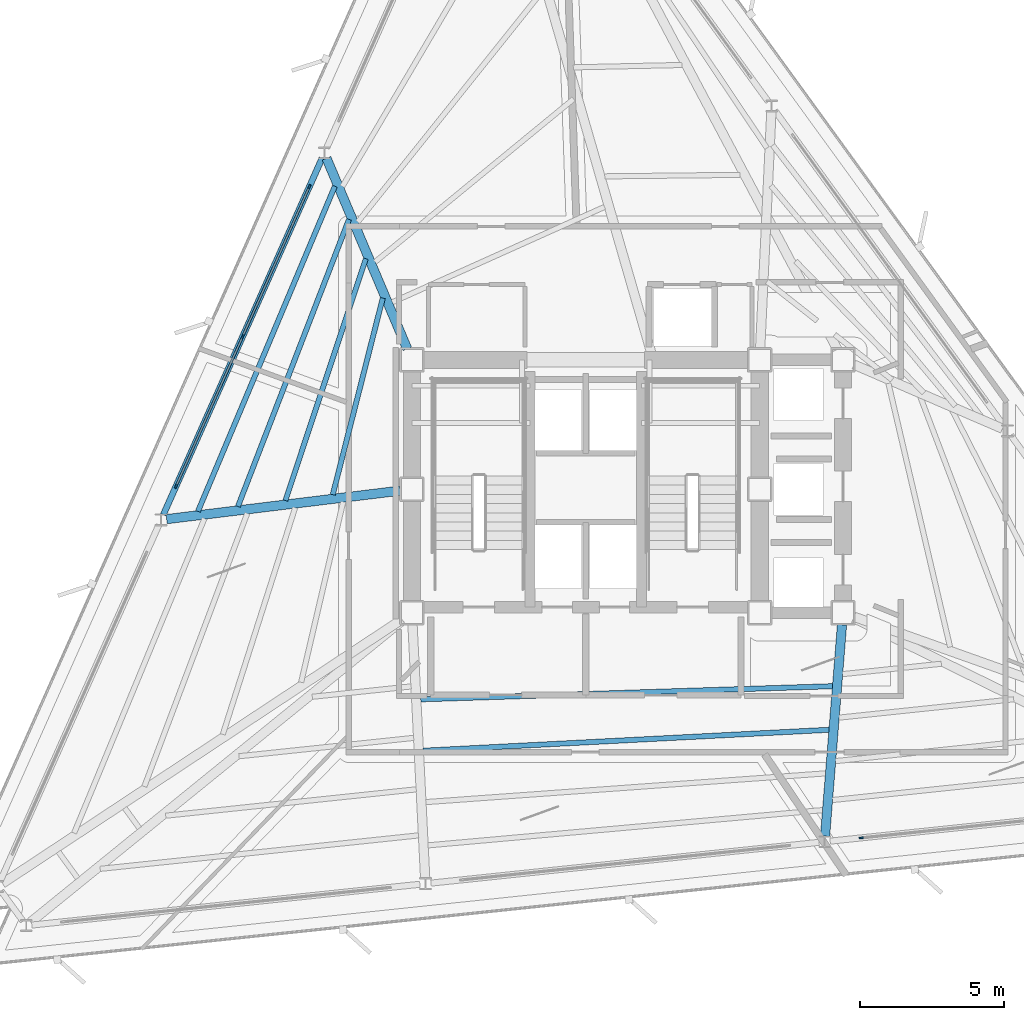
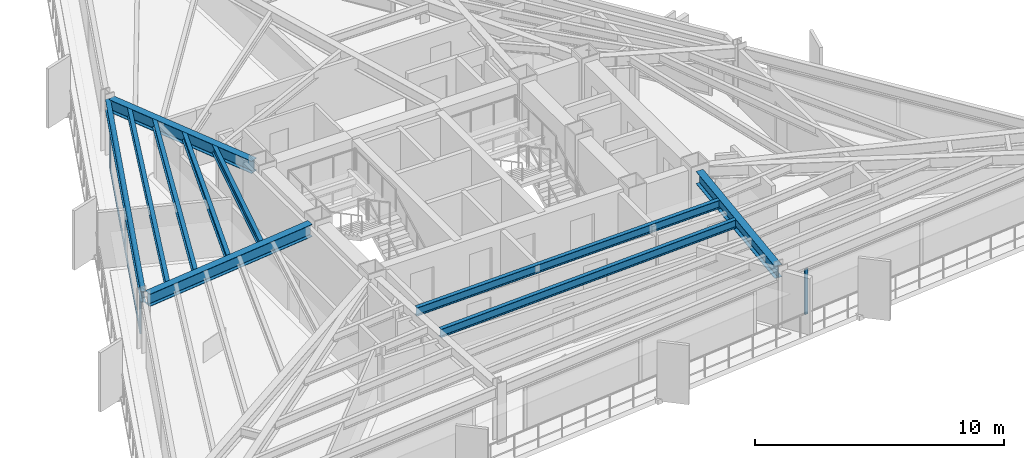
# One storey, part 3 of 13: 10 beams, 8 members, 2 elements without a shape of their own.
"""IFC4 building model written with IfcOpenShell, lengths in metres."""

from ifc_helpers import new_model, si_unit, direction, frame, origin, origin_2d, place, context, subcontext, project, spatial, rectangle, i_section, extrude, material, layer, layer_set, material_profile, profile_set, type_object, element, aggregate, save


model = new_model("IFC4")

# Units and contexts
model_context = context("Model", 3, precision=1e-05, world=origin(), true_north=direction((0.0, 1.0)))
body_context = subcontext(model_context, "Body", "Model", "MODEL_VIEW")
ifc_project = project(units=[si_unit("LENGTHUNIT", "METRE"), si_unit("AREAUNIT", "SQUARE_METRE"), si_unit("VOLUMEUNIT", "CUBIC_METRE"), si_unit("PLANEANGLEUNIT", "RADIAN"), si_unit("MASSUNIT", "GRAM", prefix="KILO")], contexts=[model_context])

# Site, building, storey
site_placement = place(None, origin())
site = spatial("IfcSite", under=ifc_project, at=site_placement, CompositionType="ELEMENT")
building_placement = place(site_placement, origin())
building = spatial("IfcBuilding", under=site, at=building_placement, Name="Rocaltana Carrier Exchange", CompositionType="ELEMENT")
storey_placement = place(building_placement, frame((0.0, 0.0, 119.840087890625)))
storey = spatial("IfcBuildingStorey", under=building, at=storey_placement, Name="L37", CompositionType="ELEMENT", Elevation=119.840087890625)

# Curtain wall, members
ifc_material_1 = material(Name="Aluminium 6063-T6", Category="aluminium")
ifc_layer = layer(ifc_material_1, 0.14990234375)
ifc_layer_set = layer_set([ifc_layer], Name="Aluminium 6063-T6")
curtain_wall_type = type_object("IfcCurtainWallType", Name="Mid-Tower Unitised Curtain Wall CW-03", PredefinedType="NOTDEFINED", material=ifc_layer_set)
curtain_wall_1_placement = place(storey_placement, origin())
curtain_wall_1 = element("IfcCurtainWall", 1, at=curtain_wall_1_placement, inside=storey, type_object=curtain_wall_type, Name="L37 CW-03 Run CW-L37-F2S2", PredefinedType="NOTDEFINED")
ifc_material_2 = material(Name="Aluminium 6063-T6", Category="aluminium")
ifc_material_profile_1 = material_profile(ifc_material_2, rectangle(XDim=0.06005859375, YDim=0.14990234375, at=origin_2d()), Name="AL-60X150")
ifc_profile_set_1 = profile_set([ifc_material_profile_1], Name="Aluminium 6063-T6")
member_type_1 = type_object("IfcMemberType", Name="CW-03 Mullion AL-60X150", PredefinedType="MULLION", material=ifc_profile_set_1)
member_1_placement = place(storey_placement, frame((-9.61865234375, 10.525634765625, 0.0), z_axis=(0.0, 0.0, 1.0), x_axis=(0.913542348315, -0.406743626669, 0.0)))
member_1 = element("IfcMember", 2, at=member_1_placement, type_object=member_type_1, Name="CW-03 mullion 1", PredefinedType="MULLION", context=body_context, shape_type="SweptSolid", body=[
    extrude(rectangle(XDim=0.06005859375, YDim=0.14990234375, at=origin_2d()), origin(), (0.0, 0.0, 1.0), 2.218017578125),
])
member_2_placement = place(storey_placement, frame((-11.9384765625, 5.3154296875, 0.0), z_axis=(0.0, 0.0, 1.0), x_axis=(0.913542348315, -0.406743626669, 0.0)))
member_2 = element("IfcMember", 3, at=member_2_placement, type_object=member_type_1, Name="CW-03 mullion 2", PredefinedType="MULLION", context=body_context, shape_type="SweptSolid", body=[
    extrude(rectangle(XDim=0.06005859375, YDim=0.14990234375, at=origin_2d()), origin(), (0.0, 0.0, 1.0), 2.218017578125),
])
member_3_placement = place(storey_placement, frame((-14.25830078125, 0.105224609375, 0.0), z_axis=(0.0, 0.0, 1.0), x_axis=(0.913542348315, -0.406743626669, 0.0)))
member_3 = element("IfcMember", 4, at=member_3_placement, type_object=member_type_1, Name="CW-03 mullion 3", PredefinedType="MULLION", context=body_context, shape_type="SweptSolid", body=[
    extrude(rectangle(XDim=0.06005859375, YDim=0.14990234375, at=origin_2d()), origin(), (0.0, 0.0, 1.0), 2.218017578125),
])

# Curtain wall, member
curtain_wall_2_placement = place(storey_placement, origin())
curtain_wall_2 = element("IfcCurtainWall", 5, at=curtain_wall_2_placement, inside=storey, type_object=curtain_wall_type, Name="L37 CW-03 Run CW-L37-F3S3", PredefinedType="NOTDEFINED")
member_4_placement = place(storey_placement, frame((9.584228515625, -12.1328125, 0.0), z_axis=(0.0, 0.0, 1.0), x_axis=(-0.104521806959, 0.994522594952, 0.0)))
member_4 = element("IfcMember", 6, at=member_4_placement, type_object=member_type_1, Name="CW-03 mullion 1", PredefinedType="MULLION", context=body_context, shape_type="SweptSolid", body=[
    extrude(rectangle(XDim=0.06005859375, YDim=0.14990234375, at=origin_2d()), origin(), (0.0, 0.0, 1.0), 2.218017578125),
])
aggregate(curtain_wall_2, [member_4])

# Member
ifc_material_3 = material(Name="Aluminium 6063-T6", Category="aluminium")
ifc_material_profile_2 = material_profile(ifc_material_3, rectangle(XDim=0.06005859375, YDim=0.14990234375, at=origin_2d()), Name="AL-60X150")
ifc_profile_set_2 = profile_set([ifc_material_profile_2], Name="Aluminium 6063-T6")
member_type_2 = type_object("IfcMemberType", Name="CW-03 Transom AL-60X150", PredefinedType="USERDEFINED", material=ifc_profile_set_2)
member_5_placement = place(storey_placement, frame((-9.630859375, 10.498291015625, 0.030029296875), z_axis=(-0.406740464784, -0.913543756099, 0.0), x_axis=(0.913543756099, -0.406740464784, 0.0)))
member_5 = element("IfcMember", 7, at=member_5_placement, type_object=member_type_2, Name="CW-03 transom 1.1", ObjectType="TRANSOM", PredefinedType="USERDEFINED", context=body_context, shape_type="SweptSolid", body=[
    extrude(rectangle(XDim=0.06005859375, YDim=0.14990234375, at=origin_2d()), origin(), (0.0, 0.0, 1.0), 5.643310546875),
])

member_6_placement = place(storey_placement, frame((-9.630859375, 10.498291015625, 2.18798828125), z_axis=(-0.406740464784, -0.913543756099, 0.0), x_axis=(0.913543756099, -0.406740464784, 0.0)))
member_6 = element("IfcMember", 8, at=member_6_placement, type_object=member_type_2, Name="CW-03 transom 1.2", ObjectType="TRANSOM", PredefinedType="USERDEFINED", context=body_context, shape_type="SweptSolid", body=[
    extrude(rectangle(XDim=0.06005859375, YDim=0.14990234375, at=origin_2d()), origin(), (0.0, 0.0, 1.0), 5.643310546875),
])

member_7_placement = place(storey_placement, frame((-11.95068359375, 5.287841796875, 0.030029296875), z_axis=(-0.406756540093, -0.91353659866, 0.0), x_axis=(0.91353659866, -0.406756540093, 0.0)))
member_7 = element("IfcMember", 9, at=member_7_placement, type_object=member_type_2, Name="CW-03 transom 2.1", ObjectType="TRANSOM", PredefinedType="USERDEFINED", context=body_context, shape_type="SweptSolid", body=[
    extrude(rectangle(XDim=0.06005859375, YDim=0.14990234375, at=origin_2d()), origin(), (0.0, 0.0, 1.0), 5.643310546875),
])

member_8_placement = place(storey_placement, frame((-11.95068359375, 5.287841796875, 2.18798828125), z_axis=(-0.406756540093, -0.91353659866, 0.0), x_axis=(0.91353659866, -0.406756540093, 0.0)))
member_8 = element("IfcMember", 10, at=member_8_placement, type_object=member_type_2, Name="CW-03 transom 2.2", ObjectType="TRANSOM", PredefinedType="USERDEFINED", context=body_context, shape_type="SweptSolid", body=[
    extrude(rectangle(XDim=0.06005859375, YDim=0.14990234375, at=origin_2d()), origin(), (0.0, 0.0, 1.0), 5.643310546875),
])

aggregate(curtain_wall_1, [member_1, member_2, member_3, member_5, member_6, member_7, member_8])

# Beams
ifc_material_4 = material(Name="Steel S355", Category="steel")
ifc_material_profile_3 = material_profile(ifc_material_4, i_section(OverallWidth=0.179931640625, OverallDepth=0.4130859375, WebThickness=0.009765625, FlangeThickness=0.01611328125, FilletRadius=0.012939453125, at=origin_2d()), Name="W16X50")
ifc_profile_set_3 = profile_set([ifc_material_profile_3], Name="Steel S355")
beam_type_1 = type_object("IfcBeamType", Name="Floor Joist W16X50", PredefinedType="JOIST", material=ifc_profile_set_3)
beam_1_placement = place(storey_placement, frame((-7.06396484375, 6.651123046875, 2.581298828125), z_axis=(-0.246610770256, -0.96911461035, 0.0), x_axis=(0.96911461035, -0.246610770256, 0.0)))
element("IfcBeam", 11, at=beam_1_placement, inside=storey, type_object=beam_type_1, Name="FJ-L37-06-1", PredefinedType="JOIST", context=body_context, shape_type="SweptSolid", body=[
    extrude(i_section(OverallWidth=0.179931640625, OverallDepth=0.4130859375, WebThickness=0.009765625, FlangeThickness=0.01611328125, FilletRadius=0.012939453125, at=origin_2d()), origin(), (0.0, 0.0, 1.0), 7.05859375),
])
beam_2_placement = place(storey_placement, frame((-7.65380859375, 8.021484375, 2.581298828125), z_axis=(-0.315534018632, -0.948914265403, 0.0), x_axis=(0.948914265403, -0.315534018632, 0.0)))
element("IfcBeam", 12, at=beam_2_placement, inside=storey, type_object=beam_type_1, Name="FJ-L37-06-2", PredefinedType="JOIST", context=body_context, shape_type="SweptSolid", body=[
    extrude(i_section(OverallWidth=0.179931640625, OverallDepth=0.4130859375, WebThickness=0.009765625, FlangeThickness=0.01611328125, FilletRadius=0.012939453125, at=origin_2d()), origin(), (0.0, 0.0, 1.0), 8.869384765625),
])
beam_3_placement = place(storey_placement, frame((-8.239990234375, 9.390869140625, 2.581298828125), z_axis=(-0.360736399808, -0.93266781324, 0.0), x_axis=(0.93266781324, -0.360736399808, 0.0)))
element("IfcBeam", 13, at=beam_3_placement, inside=storey, type_object=beam_type_1, Name="FJ-L37-06-3", PredefinedType="JOIST", context=body_context, shape_type="SweptSolid", body=[
    extrude(i_section(OverallWidth=0.179931640625, OverallDepth=0.4130859375, WebThickness=0.009765625, FlangeThickness=0.01611328125, FilletRadius=0.012939453125, at=origin_2d()), origin(), (0.0, 0.0, 1.0), 10.71142578125),
])
beam_4_placement = place(storey_placement, frame((-8.73193359375, 10.543701171875, 2.581298828125), z_axis=(-0.388065001022, -0.92163200627, 0.0), x_axis=(0.92163200627, -0.388065001022, 0.0)))
element("IfcBeam", 14, at=beam_4_placement, inside=storey, type_object=beam_type_1, Name="FJ-L37-06-4", PredefinedType="JOIST", context=body_context, shape_type="SweptSolid", body=[
    extrude(i_section(OverallWidth=0.179931640625, OverallDepth=0.4130859375, WebThickness=0.009765625, FlangeThickness=0.01611328125, FilletRadius=0.012939453125, at=origin_2d()), origin(), (0.0, 0.0, 1.0), 12.27734375),
])
beam_5_placement = place(storey_placement, frame((-5.743408203125, -7.3115234375, 2.581298828125), z_axis=(0.999491466451, 0.031887434705, 0.0), x_axis=(-0.031887434705, 0.999491466451, 0.0)))
element("IfcBeam", 15, at=beam_5_placement, inside=storey, type_object=beam_type_1, Name="FJ-L37-10-1", PredefinedType="JOIST", context=body_context, shape_type="SweptSolid", body=[
    extrude(i_section(OverallWidth=0.179931640625, OverallDepth=0.4130859375, WebThickness=0.009765625, FlangeThickness=0.01611328125, FilletRadius=0.012939453125, at=origin_2d()), origin(), (0.0, 0.0, 1.0), 14.34033203125),
])
beam_6_placement = place(storey_placement, frame((-5.654052734375, -9.099609375, 2.581298828125), z_axis=(0.998672130868, 0.051516745125, 0.0), x_axis=(-0.051516745125, 0.998672130868, 0.0)))
element("IfcBeam", 16, at=beam_6_placement, inside=storey, type_object=beam_type_1, Name="FJ-L37-10-2", PredefinedType="JOIST", context=body_context, shape_type="SweptSolid", body=[
    extrude(i_section(OverallWidth=0.179931640625, OverallDepth=0.4130859375, WebThickness=0.009765625, FlangeThickness=0.01611328125, FilletRadius=0.012939453125, at=origin_2d()), origin(), (0.0, 0.0, 1.0), 14.141357421875),
])
ifc_material_5 = material(Name="Steel S355", Category="steel")
ifc_material_profile_4 = material_profile(ifc_material_5, i_section(OverallWidth=0.323974609375, OverallDepth=0.611083984375, WebThickness=0.0126953125, FlangeThickness=0.01904296875, FilletRadius=0.01611328125, at=origin_2d()), Name="W24X104")
ifc_profile_set_4 = profile_set([ifc_material_profile_4], Name="Steel S355")
beam_type_2 = type_object("IfcBeamType", Name="Radial Girder W24X104", PredefinedType="BEAM", material=ifc_profile_set_4)
beam_7_placement = place(storey_placement, frame((-6.212646484375, 4.884033203125, 2.482421875), z_axis=(-0.390082299066, 0.920779995414, 0.0), x_axis=(-0.920779995414, -0.390082299066, 0.0)))
element("IfcBeam", 17, at=beam_7_placement, inside=storey, type_object=beam_type_2, Name="RG-L37-06", PredefinedType="BEAM", context=body_context, shape_type="SweptSolid", body=[
    extrude(i_section(OverallWidth=0.323974609375, OverallDepth=0.611083984375, WebThickness=0.0126953125, FlangeThickness=0.01904296875, FilletRadius=0.01611328125, at=origin_2d()), origin(), (0.0, 0.0, 1.0), 7.201904296875),
])
beam_8_placement = place(storey_placement, frame((-6.4638671875, -0.050537109375, 2.482421875), z_axis=(-0.992651998354, -0.121004174157, 0.0), x_axis=(0.121004174157, -0.992651998354, 0.0)))
element("IfcBeam", 18, at=beam_8_placement, inside=storey, type_object=beam_type_2, Name="RG-L37-07", PredefinedType="BEAM", context=body_context, shape_type="SweptSolid", body=[
    extrude(i_section(OverallWidth=0.323974609375, OverallDepth=0.611083984375, WebThickness=0.0126953125, FlangeThickness=0.01904296875, FilletRadius=0.01611328125, at=origin_2d()), origin(), (0.0, 0.0, 1.0), 8.181396484375),
])
beam_9_placement = place(storey_placement, frame((8.916748046875, -4.7158203125, 2.482421875), z_axis=(-0.079956907675, -0.996798321084, 0.0), x_axis=(0.996798321084, -0.079956907675, 0.0)))
element("IfcBeam", 19, at=beam_9_placement, inside=storey, type_object=beam_type_2, Name="RG-L37-11", PredefinedType="BEAM", context=body_context, shape_type="SweptSolid", body=[
    extrude(i_section(OverallWidth=0.323974609375, OverallDepth=0.611083984375, WebThickness=0.0126953125, FlangeThickness=0.01904296875, FilletRadius=0.01611328125, at=origin_2d()), origin(), (0.0, 0.0, 1.0), 7.380126953125),
])
ifc_material_6 = material(Name="Steel S355", Category="steel")
ifc_material_profile_5 = material_profile(ifc_material_6, i_section(OverallWidth=0.2119140625, OverallDepth=0.5439453125, WebThickness=0.01318359375, FlangeThickness=0.021240234375, FilletRadius=0.014892578125, at=origin_2d()), Name="W21X83")
ifc_profile_set_5 = profile_set([ifc_material_profile_5], Name="Steel S355")
beam_type_3 = type_object("IfcBeamType", Name="Spandrel Edge Beam W21X83", PredefinedType="SPANDREL", material=ifc_profile_set_5)
beam_10_placement = place(storey_placement, frame((-9.177490234375, 11.516845703125, 2.515869140625), z_axis=(-0.406744031685, -0.913542167986, 0.0), x_axis=(0.913542167986, -0.406744031685, 0.0)))
element("IfcBeam", 20, at=beam_10_placement, inside=storey, type_object=beam_type_3, Name="SP-L37-06", PredefinedType="SPANDREL", context=body_context, shape_type="SweptSolid", body=[
    extrude(i_section(OverallWidth=0.2119140625, OverallDepth=0.5439453125, WebThickness=0.01318359375, FlangeThickness=0.021240234375, FilletRadius=0.014892578125, at=origin_2d()), origin(), (0.0, 0.0, 1.0), 13.57666015625),
])

save(model, "model.ifc")
